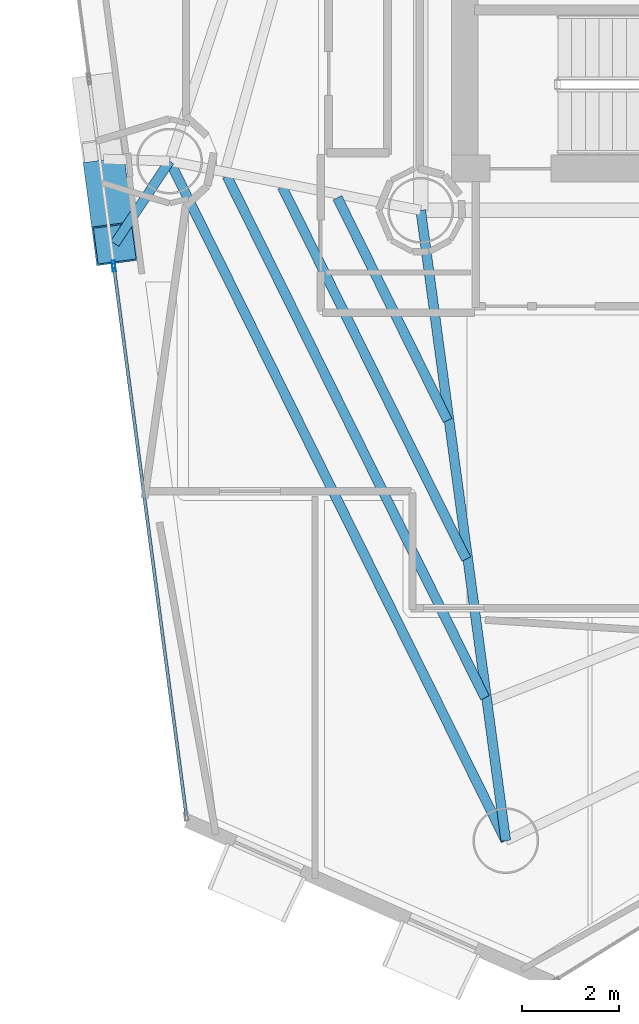
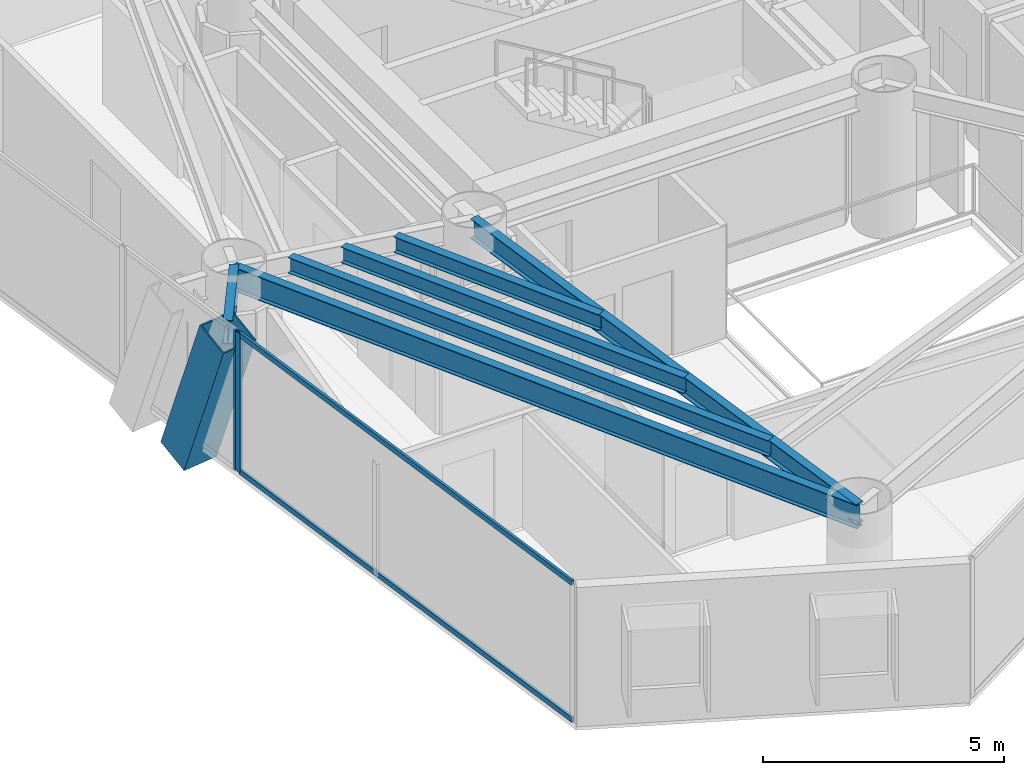
# One storey, part 3 of 22: 6 beams, 5 members, 2 elements without a shape of their own.
"""IFC4 building model written with IfcOpenShell, lengths in metres."""

from ifc_helpers import new_model, si_unit, direction, frame, origin, origin_2d, place, context, subcontext, project, spatial, hollow_rectangle, i_section, extrude, material, layer, layer_set, material_profile, profile_set, type_object, element, aggregate, save


model = new_model("IFC4")

# Units and contexts
model_context = context("Model", 3, precision=1e-05, world=origin(), true_north=direction((0.0, 1.0)))
body_context = subcontext(model_context, "Body", "Model", "MODEL_VIEW")
ifc_project = project(units=[si_unit("LENGTHUNIT", "METRE"), si_unit("AREAUNIT", "SQUARE_METRE"), si_unit("VOLUMEUNIT", "CUBIC_METRE"), si_unit("PLANEANGLEUNIT", "RADIAN"), si_unit("MASSUNIT", "GRAM", prefix="KILO")], contexts=[model_context])

# Site, building, storey
site_placement = place(None, origin())
site = spatial("IfcSite", under=ifc_project, at=site_placement, CompositionType="ELEMENT")
building_placement = place(site_placement, origin())
building = spatial("IfcBuilding", under=site, at=building_placement, Name="Qianvela Tower", CompositionType="ELEMENT")
storey_placement = place(building_placement, frame((0.0, 0.0, 177.199951171875)))
storey = spatial("IfcBuildingStorey", under=building, at=storey_placement, Name="L45", CompositionType="ELEMENT", Elevation=177.199951171875)

# Beams
ifc_material_1 = material(Name="Steel Q355B", Category="steel")
ifc_material_profile_1 = material_profile(ifc_material_1, i_section(OverallWidth=0.199951171875, OverallDepth=0.39990234375, WebThickness=0.008056640625, FlangeThickness=0.012939453125, at=origin_2d()), Name="HN400x200x8x13")
ifc_profile_set_1 = profile_set([ifc_material_profile_1], Name="Steel Q355B")
beam_type_1 = type_object("IfcBeamType", Name="BM-HN400-JOIST", PredefinedType="JOIST", material=ifc_profile_set_1)
beam_1_placement = place(storey_placement, frame((26.89013671875, 24.10693359375, 3.318115234375), z_axis=(0.443417880161, -0.896315002415, 0.0), x_axis=(0.896315002415, 0.443417880161, 0.0)))
element("IfcBeam", 1, at=beam_1_placement, inside=storey, type_object=beam_type_1, Name="L45 Secondary Composite Floor Joist 4.1", PredefinedType="JOIST", context=body_context, shape_type="SweptSolid", body=[
    extrude(i_section(OverallWidth=0.199951171875, OverallDepth=0.39990234375, WebThickness=0.008056640625, FlangeThickness=0.012939453125, at=origin_2d()), origin(), (0.0, 0.0, 1.0), 5.099609375),
])
beam_2_placement = place(storey_placement, frame((25.75634765625, 24.3291015625, 3.318115234375), z_axis=(0.443417285282, -0.896315296708, 0.0), x_axis=(0.896315296708, 0.443417285282, 0.0)))
element("IfcBeam", 2, at=beam_2_placement, inside=storey, type_object=beam_type_1, Name="L45 Secondary Composite Floor Joist 4.2", PredefinedType="JOIST", context=body_context, shape_type="SweptSolid", body=[
    extrude(i_section(OverallWidth=0.199951171875, OverallDepth=0.39990234375, WebThickness=0.008056640625, FlangeThickness=0.012939453125, at=origin_2d()), origin(), (0.0, 0.0, 1.0), 8.523681640625),
])
beam_3_placement = place(storey_placement, frame((24.622314453125, 24.551025390625, 3.318115234375), z_axis=(0.443417031377, -0.896315422318, 0.0), x_axis=(0.896315422318, 0.443417031377, 0.0)))
element("IfcBeam", 3, at=beam_3_placement, inside=storey, type_object=beam_type_1, Name="L45 Secondary Composite Floor Joist 4.3", PredefinedType="JOIST", context=body_context, shape_type="SweptSolid", body=[
    extrude(i_section(OverallWidth=0.199951171875, OverallDepth=0.39990234375, WebThickness=0.008056640625, FlangeThickness=0.012939453125, at=origin_2d()), origin(), (0.0, 0.0, 1.0), 11.94775390625),
])
ifc_material_2 = material(Name="Steel Q355B", Category="steel")
ifc_material_profile_2 = material_profile(ifc_material_2, i_section(OverallWidth=0.199951171875, OverallDepth=0.5, WebThickness=0.010009765625, FlangeThickness=0.01611328125, at=origin_2d()), Name="HN500x200x10x16")
ifc_profile_set_2 = profile_set([ifc_material_profile_2], Name="Steel Q355B")
beam_type_2 = type_object("IfcBeamType", Name="BM-HN500-GIRD", PredefinedType="BEAM", material=ifc_profile_set_2)
beam_4_placement = place(storey_placement, frame((28.60009765625, 23.85009765625, 3.26806640625), z_axis=(0.133769024854, -0.991012536747, 0.0), x_axis=(0.991012536747, 0.133769024854, 0.0)))
element("IfcBeam", 4, at=beam_4_placement, inside=storey, type_object=beam_type_2, Name="L45 Radial Primary Floor Girder 5", PredefinedType="BEAM", context=body_context, shape_type="SweptSolid", body=[
    extrude(i_section(OverallWidth=0.199951171875, OverallDepth=0.5, WebThickness=0.010009765625, FlangeThickness=0.01611328125, at=origin_2d()), origin(), (0.0, 0.0, 1.0), 13.05859375),
])
ifc_material_3 = material(Name="Steel Q355B", Category="steel")
ifc_material_profile_3 = material_profile(ifc_material_3, i_section(OverallWidth=0.199951171875, OverallDepth=0.60009765625, WebThickness=0.010986328125, FlangeThickness=0.01708984375, at=origin_2d()), Name="HN600x200x11x17")
ifc_profile_set_3 = profile_set([ifc_material_profile_3], Name="Steel Q355B")
beam_type_3 = type_object("IfcBeamType", Name="BM-HN600-GIRD", PredefinedType="BEAM", material=ifc_profile_set_3)
beam_5_placement = place(storey_placement, frame((23.446044921875, 24.85888671875, 3.218017578125), z_axis=(-0.553481049448, -0.832861769985, 0.0), x_axis=(0.832861769985, -0.553481049448, 0.0)))
element("IfcBeam", 5, at=beam_5_placement, inside=storey, type_object=beam_type_3, Name="L45 Mega-Brace Column Tie Bracket F2-2", PredefinedType="BEAM", context=body_context, shape_type="SweptSolid", body=[
    extrude(i_section(OverallWidth=0.199951171875, OverallDepth=0.60009765625, WebThickness=0.010986328125, FlangeThickness=0.01708984375, at=origin_2d()), origin(), (0.0, 0.0, 1.0), 2.034423828125),
])
beam_6_placement = place(storey_placement, frame((23.446044921875, 24.85888671875, 3.218017578125), z_axis=(0.443400805375, -0.896323449315, 0.0), x_axis=(0.896323449315, 0.443400805375, 0.0)))
element("IfcBeam", 6, at=beam_6_placement, inside=storey, type_object=beam_type_3, Name="L45 Perimeter Ring Spandrel Girder 4", PredefinedType="BEAM", context=body_context, shape_type="SweptSolid", body=[
    extrude(i_section(OverallWidth=0.199951171875, OverallDepth=0.60009765625, WebThickness=0.010986328125, FlangeThickness=0.01708984375, at=origin_2d()), origin(), (0.0, 0.0, 1.0), 15.5634765625),
])

# Curtain wall, member
ifc_material_4 = material(Name="Anodised Architectural Aluminium and Insulated Spandrel Panel", Category="aluminium")
ifc_layer_1 = layer(ifc_material_4, 0.179931640625)
ifc_layer_set_1 = layer_set([ifc_layer_1], Name="Anodised Architectural Aluminium and Insulated Spandrel Panel")
curtain_wall_type_1 = type_object("IfcCurtainWallType", Name="CW-BRACEBAY", PredefinedType="USERDEFINED", material=ifc_layer_set_1)
curtain_wall_1_placement = place(storey_placement, origin())
curtain_wall_1 = element("IfcCurtainWall", 7, at=curtain_wall_1_placement, inside=storey, type_object=curtain_wall_type_1, Name="L45 CW-BRACEBAY Curtain Wall 04B", ObjectType="CURTAIN_WALL_SYSTEM", PredefinedType="USERDEFINED")
ifc_material_5 = material(Name="Anodised Architectural Aluminium 6063-T6", Category="aluminium")
ifc_material_profile_4 = material_profile(ifc_material_5, hollow_rectangle(XDim=0.06494140625, YDim=0.159912109375, WallThickness=0.0048828125, at=origin_2d()), Name="ALU-MULL-65x160")
ifc_profile_set_4 = profile_set([ifc_material_profile_4], Name="Anodised Architectural Aluminium 6063-T6")
member_type_1 = type_object("IfcMemberType", Name="CW-BRACEBAY-MULL", PredefinedType="MULLION", material=ifc_profile_set_4)
member_1_placement = place(storey_placement, frame((22.295654296875, 22.739013671875, 0.0), z_axis=(0.0, 0.0, 1.0), x_axis=(0.99140170858, 0.130853552589, 0.0)))
member_1 = element("IfcMember", 8, at=member_1_placement, type_object=member_type_1, Name="CW-9 mullion 2", PredefinedType="MULLION", context=body_context, shape_type="SweptSolid", body=[
    extrude(hollow_rectangle(XDim=0.06494140625, YDim=0.159912109375, WallThickness=0.0048828125, at=origin_2d()), origin(), (0.0, 0.0, 1.0), 3.52001953125),
])
aggregate(curtain_wall_1, [member_1])

# Curtain wall, members
ifc_material_6 = material(Name="Anodised Architectural Aluminium and Low-E Glass", Category="aluminium")
ifc_layer_2 = layer(ifc_material_6, 0.169921875)
ifc_layer_set_2 = layer_set([ifc_layer_2], Name="Anodised Architectural Aluminium and Low-E Glass")
curtain_wall_type_2 = type_object("IfcCurtainWallType", Name="CW-COLIV-Z34", PredefinedType="USERDEFINED", material=ifc_layer_set_2)
curtain_wall_2_placement = place(storey_placement, origin())
curtain_wall_2 = element("IfcCurtainWall", 9, at=curtain_wall_2_placement, inside=storey, type_object=curtain_wall_type_2, Name="L45 CW-COLIV-Z34 Curtain Wall 04C", ObjectType="CURTAIN_WALL_SYSTEM", PredefinedType="USERDEFINED")
ifc_material_7 = material(Name="Anodised Architectural Aluminium 6063-T6", Category="aluminium")
ifc_material_profile_5 = material_profile(ifc_material_7, hollow_rectangle(XDim=0.06494140625, YDim=0.159912109375, WallThickness=0.0048828125, at=origin_2d()), Name="ALU-MULL-65x160")
ifc_profile_set_5 = profile_set([ifc_material_profile_5], Name="Anodised Architectural Aluminium 6063-T6")
member_type_2 = type_object("IfcMemberType", Name="CW-COLIV-Z34-MULL", PredefinedType="MULLION", material=ifc_profile_set_5)
member_2_placement = place(storey_placement, frame((22.303955078125, 22.674560546875, 0.0), z_axis=(0.0, 0.0, 1.0), x_axis=(0.991398323656, 0.130879195646, 0.0)))
member_2 = element("IfcMember", 10, at=member_2_placement, type_object=member_type_2, Name="CW-4 mullion 1", PredefinedType="MULLION", context=body_context, shape_type="SweptSolid", body=[
    extrude(hollow_rectangle(XDim=0.06494140625, YDim=0.159912109375, WallThickness=0.0048828125, at=origin_2d()), origin(), (0.0, 0.0, 1.0), 3.52001953125),
])
ifc_material_8 = material(Name="Anodised Architectural Aluminium 6063-T6", Category="aluminium")
ifc_material_profile_6 = material_profile(ifc_material_8, hollow_rectangle(XDim=0.06494140625, YDim=0.1298828125, WallThickness=0.00439453125, at=origin_2d()), Name="ALU-TRAN-65x130")
ifc_profile_set_6 = profile_set([ifc_material_profile_6], Name="Anodised Architectural Aluminium 6063-T6")
member_type_3 = type_object("IfcMemberType", Name="CW-COLIV-Z34-TRAN", PredefinedType="USERDEFINED", material=ifc_profile_set_6)
member_3_placement = place(storey_placement, frame((22.308349609375, 22.642333984375, 0.032470703125), z_axis=(0.130871109895, -0.99139939106, 0.0), x_axis=(0.99139939106, 0.130871109895, 0.0)))
member_3 = element("IfcMember", 11, at=member_3_placement, type_object=member_type_3, Name="CW-4 transom 1.1", ObjectType="TRANSOM", PredefinedType="USERDEFINED", context=body_context, shape_type="SweptSolid", body=[
    extrude(hollow_rectangle(XDim=0.06494140625, YDim=0.1298828125, WallThickness=0.00439453125, at=origin_2d()), origin(), (0.0, 0.0, 1.0), 11.30859375),
])
member_4_placement = place(storey_placement, frame((22.308349609375, 22.642333984375, 3.487548828125), z_axis=(0.130871109895, -0.99139939106, 0.0), x_axis=(0.99139939106, 0.130871109895, 0.0)))
member_4 = element("IfcMember", 12, at=member_4_placement, type_object=member_type_3, Name="CW-4 transom 1.2", ObjectType="TRANSOM", PredefinedType="USERDEFINED", context=body_context, shape_type="SweptSolid", body=[
    extrude(hollow_rectangle(XDim=0.06494140625, YDim=0.1298828125, WallThickness=0.00439453125, at=origin_2d()), origin(), (0.0, 0.0, 1.0), 11.30859375),
])
aggregate(curtain_wall_2, [member_2, member_3, member_4])

# Member
ifc_material_9 = material(Name="Steel Q420GJC", Category="steel")
ifc_material_profile_7 = material_profile(ifc_material_9, hollow_rectangle(XDim=0.85009765625, YDim=0.85009765625, WallThickness=0.031982421875, at=origin_2d()), Name="MBOX-850x850x32")
ifc_profile_set_7 = profile_set([ifc_material_profile_7], Name="Steel Q420GJC")
member_type_4 = type_object("IfcMemberType", Name="MBR-MBRACE-850", PredefinedType="BRACE", material=ifc_profile_set_7)
member_5_placement = place(storey_placement, frame((22.145263671875, 24.48876953125, -0.48193359375), z_axis=(0.044438079055, -0.336637068151, 0.940585318553), x_axis=(0.991399461293, 0.130870577855, 0.0)))
element("IfcMember", 13, at=member_5_placement, inside=storey, type_object=member_type_4, Name="L45 Tier 7 Exterior Mega-Brace F2B", PredefinedType="BRACE", context=body_context, shape_type="SweptSolid", body=[
    extrude(hollow_rectangle(XDim=0.85009765625, YDim=0.85009765625, WallThickness=0.031982421875, at=origin_2d()), origin(), (0.0, 0.0, 1.0), 3.93359375),
])

save(model, "model.ifc")
